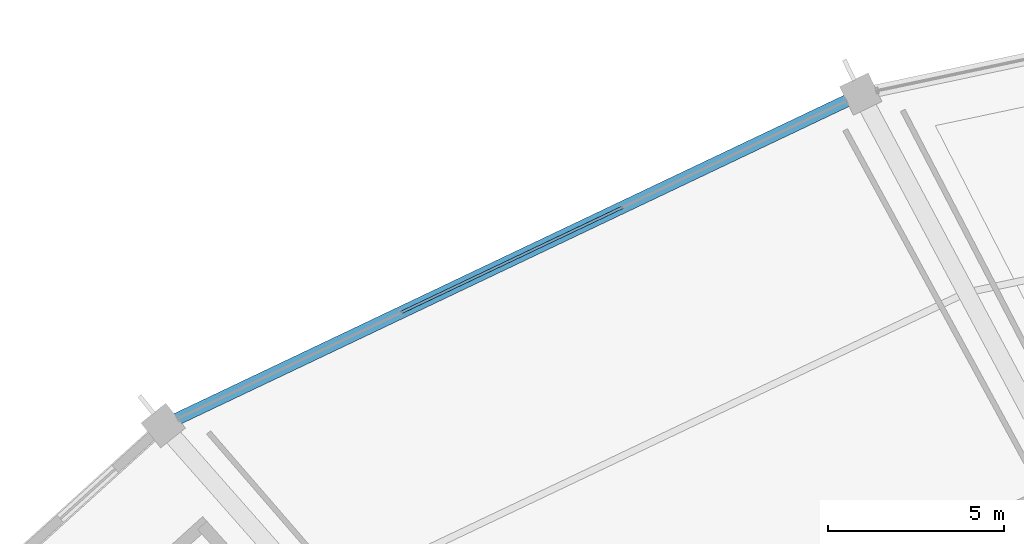
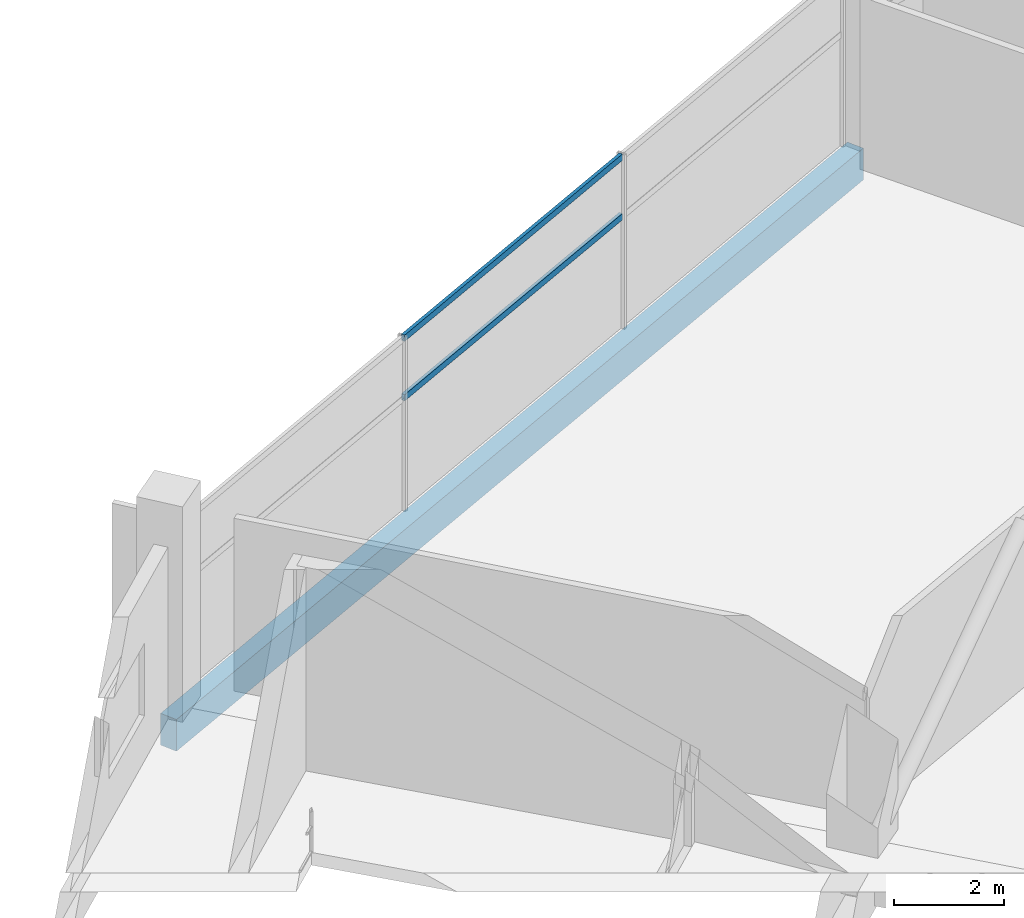
# One storey, part 73 of 156: 2 members, 1 beam, 1 element without a shape of its own.
"""IFC4 building model written with IfcOpenShell, lengths in metres."""

from ifc_helpers import new_model, si_unit, direction, frame, origin, origin_2d, place, context, subcontext, project, spatial, rectangle, hollow_rectangle, extrude, material, layer, layer_set, material_profile, profile_set, type_object, element, aggregate, save


model = new_model("IFC4")

# Units and contexts
model_context = context("Model", 3, precision=1e-05, world=origin(), true_north=direction((0.0, 1.0)))
body_context = subcontext(model_context, "Body", "Model", "MODEL_VIEW")
ifc_project = project(units=[si_unit("LENGTHUNIT", "METRE"), si_unit("AREAUNIT", "SQUARE_METRE"), si_unit("VOLUMEUNIT", "CUBIC_METRE"), si_unit("PLANEANGLEUNIT", "RADIAN"), si_unit("MASSUNIT", "GRAM", prefix="KILO")], contexts=[model_context])

# Site, building, storey
site_placement = place(None, origin())
site = spatial("IfcSite", under=ifc_project, at=site_placement, CompositionType="ELEMENT")
building_placement = place(site_placement, origin())
building = spatial("IfcBuilding", under=site, at=building_placement, Name="Kazemori Nagisa Stadium", CompositionType="ELEMENT")
storey_placement = place(building_placement, frame((0.0, 0.0, 5.780029296875)))
storey = spatial("IfcBuildingStorey", under=building, at=storey_placement, Name="L01", CompositionType="ELEMENT", Elevation=5.780029296875)

# Beam
ifc_material_1 = material(Name="Concrete C40/50 (Fc42)", Category="concrete")
ifc_material_profile_1 = material_profile(ifc_material_1, rectangle(XDim=0.35009765625, YDim=0.699951171875, at=origin_2d()), Name="RC-SP-350x700")
ifc_profile_set_1 = profile_set([ifc_material_profile_1], Name="Concrete C40/50 (Fc42)")
beam_type = type_object("IfcBeamType", Name="Beam_BS-RC350X700", PredefinedType="SPANDREL", material=ifc_profile_set_1)
beam_placement = place(storey_placement, frame((80.1953125, 182.46435546875, -0.630126953125), z_axis=(-0.903215644095, -0.429187022475, 0.0), x_axis=(0.429187022475, -0.903215644095, 0.0)))
element("IfcBeam", 1, at=beam_placement, inside=storey, type_object=beam_type, Name="Ring girder BS-RC350X700 L01 R3-10", PredefinedType="SPANDREL", context=body_context, shape_type="SweptSolid", body=[
    extrude(rectangle(XDim=0.35009765625, YDim=0.699951171875, at=origin_2d()), origin(), (0.0, 0.0, 1.0), 21.9140625),
])

# Curtain wall, members
ifc_material_2 = material(Name="Anodised aluminium 6063-T5", Category="aluminium")
ifc_layer = layer(ifc_material_2, 0.179931640625, Name="Anodised aluminium 6063-T5", Category="aluminium")
ifc_layer_set = layer_set([ifc_layer], Name="Anodised aluminium 6063-T5")
curtain_wall_type = type_object("IfcCurtainWallType", Name="CW_L01R3_105", PredefinedType="USERDEFINED", material=ifc_layer_set)
curtain_wall_placement = place(storey_placement, origin())
curtain_wall = element("IfcCurtainWall", 2, at=curtain_wall_placement, inside=storey, type_object=curtain_wall_type, Name="Unitised curtain wall CW-L01R3-105 L01", ObjectType="UNITISED CURTAIN WALL", PredefinedType="USERDEFINED")
ifc_material_3 = material(Name="Aluminium 6063-T5 anodised", Category="aluminium")
ifc_material_profile_2 = material_profile(ifc_material_3, hollow_rectangle(XDim=0.070068359375, YDim=0.139892578125, WallThickness=0.00390625, at=origin_2d()), Name="ALU-TRAN-70x140x4")
ifc_profile_set_2 = profile_set([ifc_material_profile_2], Name="Aluminium 6063-T5 anodised")
member_type = type_object("IfcMemberType", Name="Transom_T01", PredefinedType="USERDEFINED", material=ifc_profile_set_2)
member_1_placement = place(storey_placement, frame((73.4365234375, 179.252685546875, 2.4638671875), z_axis=(-0.903207701329, -0.429203737473, 0.0), x_axis=(0.429203737473, -0.903207701329, 0.0)))
member_1 = element("IfcMember", 3, at=member_1_placement, type_object=member_type, Name="Curtain wall transom CW-L01R3-105-T2-mid", ObjectType="TRANSOM", PredefinedType="USERDEFINED", context=body_context, shape_type="SweptSolid", body=[
    extrude(hollow_rectangle(XDim=0.070068359375, YDim=0.139892578125, WallThickness=0.00390625, at=origin_2d()), origin(), (0.0, 0.0, 1.0), 6.9482421875),
])
member_2_placement = place(storey_placement, frame((73.4365234375, 179.252685546875, 3.780029296875), z_axis=(-0.903207701329, -0.429203737473, 0.0), x_axis=(0.429203737473, -0.903207701329, 0.0)))
member_2 = element("IfcMember", 4, at=member_2_placement, type_object=member_type, Name="Curtain wall transom CW-L01R3-105-T2-head", ObjectType="TRANSOM", PredefinedType="USERDEFINED", context=body_context, shape_type="SweptSolid", body=[
    extrude(hollow_rectangle(XDim=0.070068359375, YDim=0.139892578125, WallThickness=0.00390625, at=origin_2d()), origin(), (0.0, 0.0, 1.0), 6.9482421875),
])
aggregate(curtain_wall, [member_1, member_2])

save(model, "model.ifc")
